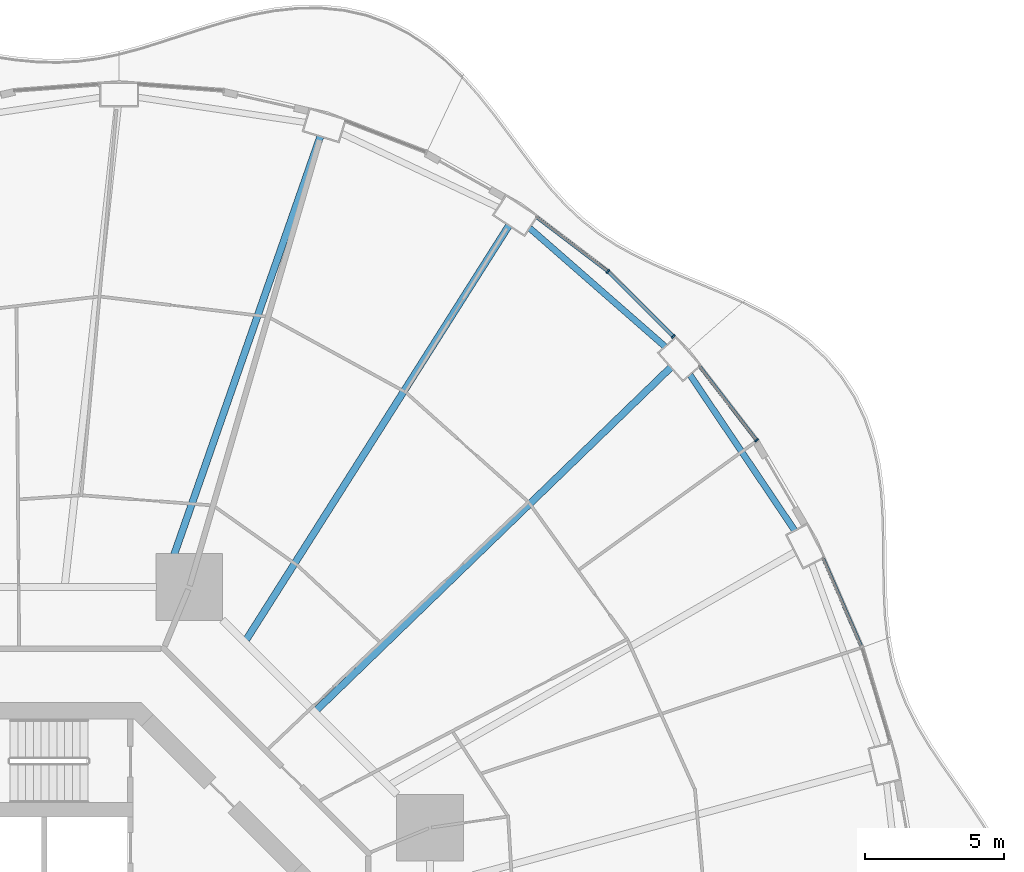
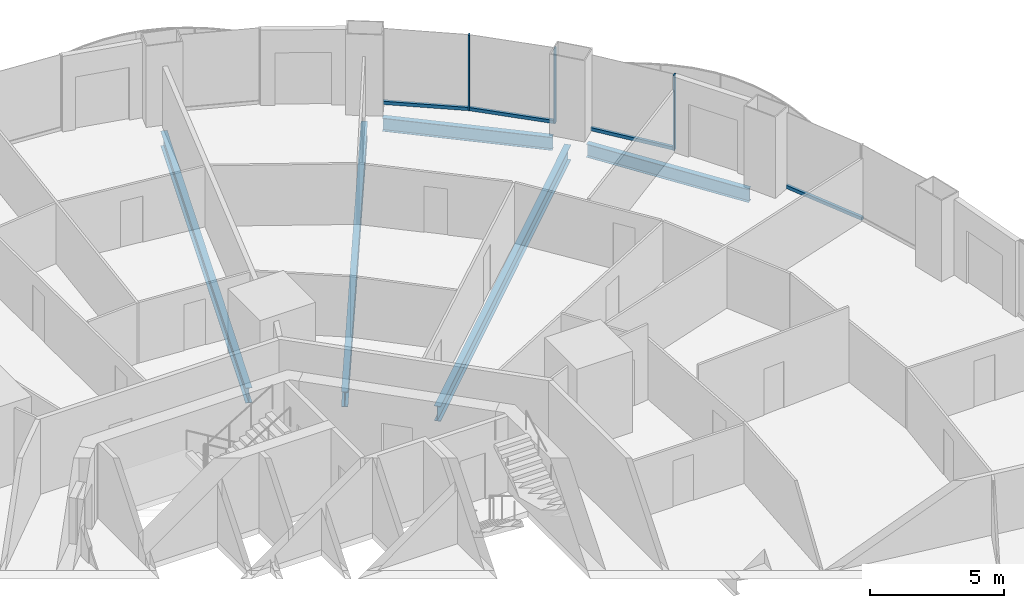
# One storey, part 10 of 22: 7 members, 5 beams, 4 elements without a shape of their own.
"""IFC4 building model written with IfcOpenShell, lengths in metres."""

from ifc_helpers import new_model, si_unit, direction, frame, origin, origin_2d, place, context, subcontext, project, spatial, rectangle, i_section, extrude, material, layer, layer_set, material_profile, profile_set, type_object, element, aggregate, save


model = new_model("IFC4")

# Units and contexts
model_context = context("Model", 3, precision=1e-05, world=origin(), true_north=direction((0.0, 1.0)))
body_context = subcontext(model_context, "Body", "Model", "MODEL_VIEW")
ifc_project = project(units=[si_unit("LENGTHUNIT", "METRE"), si_unit("AREAUNIT", "SQUARE_METRE"), si_unit("VOLUMEUNIT", "CUBIC_METRE"), si_unit("PLANEANGLEUNIT", "RADIAN"), si_unit("MASSUNIT", "GRAM", prefix="KILO")], contexts=[model_context])

# Site, building, storey
site_placement = place(None, origin())
site = spatial("IfcSite", under=ifc_project, at=site_placement, CompositionType="ELEMENT")
building_placement = place(site_placement, origin())
building = spatial("IfcBuilding", under=site, at=building_placement, Name="Nagisa Residences", CompositionType="ELEMENT")
storey_placement = place(building_placement, frame((0.0, 0.0, 30.699951171875)))
storey = spatial("IfcBuildingStorey", under=building, at=storey_placement, Name="L06", CompositionType="ELEMENT", Elevation=30.699951171875)

# Curtain wall, member
ifc_material_1 = material(Name="Concrete-coloured aluminium curtain wall system", Category="concrete")
ifc_layer = layer(ifc_material_1, 0.159912109375)
ifc_layer_set = layer_set([ifc_layer], Name="CW1 CURTAIN WALL")
curtain_wall_type = type_object("IfcCurtainWallType", Name="CW1 CURTAIN WALL", PredefinedType="NOTDEFINED", material=ifc_layer_set)
curtain_wall_1_placement = place(storey_placement, origin())
curtain_wall_1 = element("IfcCurtainWall", 1, at=curtain_wall_1_placement, inside=storey, type_object=curtain_wall_type, Name="cw:CW1:L06:05", PredefinedType="NOTDEFINED")
ifc_material_2 = material(Name="Concrete-coloured aluminium", Category="concrete")
ifc_material_profile_1 = material_profile(ifc_material_2, rectangle(XDim=0.159912109375, YDim=0.06005859375, at=origin_2d()), Name="CW1 MULLION 160x60")
ifc_profile_set_1 = profile_set([ifc_material_profile_1], Name="Concrete-coloured aluminium")
member_type_1 = type_object("IfcMemberType", Name="CW1 MULLION 160x60", PredefinedType="MULLION", material=ifc_profile_set_1)
member_1_placement = place(storey_placement, frame((26.525634765625, 20.06396484375, 0.0), z_axis=(0.0, 0.0, 1.0), x_axis=(-0.792070340816, -0.610429828235, 0.0)))
member_1 = element("IfcMember", 2, at=member_1_placement, type_object=member_type_1, Name="CW1 mullion", PredefinedType="MULLION", context=body_context, shape_type="SweptSolid", body=[
    extrude(rectangle(XDim=0.159912109375, YDim=0.06005859375, at=origin_2d()), origin(), (0.0, 0.0, 1.0), 3.43994140625),
])

curtain_wall_2_placement = place(storey_placement, origin())
curtain_wall_2 = element("IfcCurtainWall", 3, at=curtain_wall_2_placement, inside=storey, type_object=curtain_wall_type, Name="cw:CW1:L06:06", PredefinedType="NOTDEFINED")
member_2_placement = place(storey_placement, frame((23.532958984375, 23.79345703125, 0.0), z_axis=(0.0, 0.0, 1.0), x_axis=(-0.706376885714, -0.707835924016, 0.0)))
member_2 = element("IfcMember", 4, at=member_2_placement, type_object=member_type_1, Name="CW1 mullion", PredefinedType="MULLION", context=body_context, shape_type="SweptSolid", body=[
    extrude(rectangle(XDim=0.159912109375, YDim=0.06005859375, at=origin_2d()), origin(), (0.0, 0.0, 1.0), 3.43994140625),
])

curtain_wall_3_placement = place(storey_placement, origin())
curtain_wall_3 = element("IfcCurtainWall", 5, at=curtain_wall_3_placement, inside=storey, type_object=curtain_wall_type, Name="cw:CW1:L06:07", PredefinedType="NOTDEFINED")
member_3_placement = place(storey_placement, frame((21.181884765625, 26.13525390625, 0.0), z_axis=(0.0, 0.0, 1.0), x_axis=(-0.605255421737, -0.79603132756, 0.0)))
member_3 = element("IfcMember", 6, at=member_3_placement, type_object=member_type_1, Name="CW1 mullion", PredefinedType="MULLION", context=body_context, shape_type="SweptSolid", body=[
    extrude(rectangle(XDim=0.159912109375, YDim=0.06005859375, at=origin_2d()), origin(), (0.0, 0.0, 1.0), 3.43994140625),
])

curtain_wall_4_placement = place(storey_placement, origin())
curtain_wall_4 = element("IfcCurtainWall", 7, at=curtain_wall_4_placement, inside=storey, type_object=curtain_wall_type, Name="cw:CW1:L06:03", PredefinedType="NOTDEFINED")
ifc_material_3 = material(Name="Concrete-coloured aluminium", Category="concrete")
ifc_material_profile_2 = material_profile(ifc_material_3, rectangle(XDim=0.1201171875, YDim=0.14990234375, at=origin_2d()), Name="CW1 TRANSOM 120x150")
ifc_profile_set_2 = profile_set([ifc_material_profile_2], Name="Concrete-coloured aluminium")
member_type_2 = type_object("IfcMemberType", Name="CW1 TRANSOM 120x150", PredefinedType="USERDEFINED", material=ifc_profile_set_2)
member_4_placement = place(storey_placement, frame((30.319091796875, 12.5966796875, 0.074951171875), z_axis=(-0.397624958345, 0.917548032803, 0.0), x_axis=(-0.917548032803, -0.397624958345, 0.0)))
member_4 = element("IfcMember", 8, at=member_4_placement, type_object=member_type_2, Name="CW1 transom", ObjectType="TRANSOM", PredefinedType="USERDEFINED", context=body_context, shape_type="SweptSolid", body=[
    extrude(rectangle(XDim=0.1201171875, YDim=0.14990234375, at=origin_2d()), origin(), (0.0, 0.0, 1.0), 3.51953125),
])
aggregate(curtain_wall_4, [member_4])

# Member
member_5_placement = place(storey_placement, frame((26.5439453125, 20.040283203125, 0.074951171875), z_axis=(-0.610457147657, 0.792049285635, 0.0), x_axis=(-0.792049285635, -0.610457147657, 0.0)))
member_5 = element("IfcMember", 9, at=member_5_placement, type_object=member_type_2, Name="CW1 transom", ObjectType="TRANSOM", PredefinedType="USERDEFINED", context=body_context, shape_type="SweptSolid", body=[
    extrude(rectangle(XDim=0.1201171875, YDim=0.14990234375, at=origin_2d()), origin(), (0.0, 0.0, 1.0), 3.3974609375),
])

aggregate(curtain_wall_1, [member_1, member_5])

member_6_placement = place(storey_placement, frame((23.55419921875, 23.7724609375, 0.074951171875), z_axis=(-0.707876350734, 0.706336373176, 0.0), x_axis=(-0.706336373176, -0.707876350734, 0.0)))
member_6 = element("IfcMember", 10, at=member_6_placement, type_object=member_type_2, Name="CW1 transom", ObjectType="TRANSOM", PredefinedType="USERDEFINED", context=body_context, shape_type="SweptSolid", body=[
    extrude(rectangle(XDim=0.1201171875, YDim=0.14990234375, at=origin_2d()), origin(), (0.0, 0.0, 1.0), 3.329345703125),
])

aggregate(curtain_wall_2, [member_2, member_6])

member_7_placement = place(storey_placement, frame((21.20556640625, 26.116943359375, 0.074951171875), z_axis=(-0.79599487499, 0.605303361125, 0.0), x_axis=(-0.605303361125, -0.79599487499, 0.0)))
member_7 = element("IfcMember", 11, at=member_7_placement, type_object=member_type_2, Name="CW1 transom", ObjectType="TRANSOM", PredefinedType="USERDEFINED", context=body_context, shape_type="SweptSolid", body=[
    extrude(rectangle(XDim=0.1201171875, YDim=0.14990234375, at=origin_2d()), origin(), (0.0, 0.0, 1.0), 3.26220703125),
])

aggregate(curtain_wall_3, [member_3, member_7])

# Beams
ifc_material_4 = material(Name="Steel ASTM A572 Gr 50", Category="steel")
ifc_material_profile_3 = material_profile(ifc_material_4, i_section(OverallWidth=0.22802734375, OverallDepth=0.60302734375, WebThickness=0.010498046875, FlangeThickness=0.014892578125, at=origin_2d()), Name="W610x101")
ifc_profile_set_3 = profile_set([ifc_material_profile_3], Name="Steel ASTM A572 Gr 50")
beam_type_1 = type_object("IfcBeamType", Name="Perimeter ring beam W610x101", PredefinedType="BEAM", material=ifc_profile_set_3)
beam_1_placement = place(storey_placement, frame((27.899169921875, 16.818603515625, -0.5615234375), z_axis=(-0.558271879663, 0.829658067144, 0.0), x_axis=(-0.829658067144, -0.558271879663, 0.0)))
element("IfcBeam", 12, at=beam_1_placement, inside=storey, type_object=beam_type_1, Name="beam:L06:pb03", PredefinedType="BEAM", context=body_context, shape_type="SweptSolid", body=[
    extrude(i_section(OverallWidth=0.22802734375, OverallDepth=0.60302734375, WebThickness=0.010498046875, FlangeThickness=0.014892578125, at=origin_2d()), origin(), (0.0, 0.0, 1.0), 6.74169921875),
])
beam_2_placement = place(storey_placement, frame((23.236328125, 23.432861328125, -0.5615234375), z_axis=(-0.7525907186, 0.658488580217, 0.0), x_axis=(-0.658488580217, -0.7525907186, 0.0)))
element("IfcBeam", 13, at=beam_2_placement, inside=storey, type_object=beam_type_1, Name="beam:L06:pb04", PredefinedType="BEAM", context=body_context, shape_type="SweptSolid", body=[
    extrude(i_section(OverallWidth=0.22802734375, OverallDepth=0.60302734375, WebThickness=0.010498046875, FlangeThickness=0.014892578125, at=origin_2d()), origin(), (0.0, 0.0, 1.0), 6.470458984375),
])
ifc_material_5 = material(Name="Steel ASTM A572 Gr 50", Category="steel")
ifc_material_profile_4 = material_profile(ifc_material_5, i_section(OverallWidth=0.25390625, OverallDepth=0.68408203125, WebThickness=0.012451171875, FlangeThickness=0.018798828125, at=origin_2d()), Name="W690x140")
ifc_profile_set_4 = profile_set([ifc_material_profile_4], Name="Steel ASTM A572 Gr 50")
beam_type_2 = type_object("IfcBeamType", Name="Radial beam W690x140", PredefinedType="BEAM", material=ifc_profile_set_4)
beam_3_placement = place(storey_placement, frame((23.443115234375, 22.681640625, -0.60205078125), z_axis=(-0.718678305776, -0.695342716081, 0.0), x_axis=(0.695342716081, -0.718678305776, 0.0)))
element("IfcBeam", 14, at=beam_3_placement, inside=storey, type_object=beam_type_2, Name="beam:L06:rb04", PredefinedType="BEAM", context=body_context, shape_type="SweptSolid", body=[
    extrude(i_section(OverallWidth=0.25390625, OverallDepth=0.68408203125, WebThickness=0.012451171875, FlangeThickness=0.018798828125, at=origin_2d()), origin(), (0.0, 0.0, 1.0), 17.722900390625),
])
beam_4_placement = place(storey_placement, frame((17.61962890625, 27.78271484375, -0.60205078125), z_axis=(-0.53556610664, -0.844493306911, 0.0), x_axis=(0.844493306911, -0.53556610664, 0.0)))
element("IfcBeam", 15, at=beam_4_placement, inside=storey, type_object=beam_type_2, Name="beam:L06:rb05", PredefinedType="BEAM", context=body_context, shape_type="SweptSolid", body=[
    extrude(i_section(OverallWidth=0.25390625, OverallDepth=0.68408203125, WebThickness=0.012451171875, FlangeThickness=0.018798828125, at=origin_2d()), origin(), (0.0, 0.0, 1.0), 17.63525390625),
])
beam_5_placement = place(storey_placement, frame((10.834228515625, 30.986328125, -0.60205078125), z_axis=(-0.330051195485, -0.943963033364, 0.0), x_axis=(0.943963033364, -0.330051195485, 0.0)))
element("IfcBeam", 16, at=beam_5_placement, inside=storey, type_object=beam_type_2, Name="beam:L06:rb06", PredefinedType="BEAM", context=body_context, shape_type="SweptSolid", body=[
    extrude(i_section(OverallWidth=0.25390625, OverallDepth=0.68408203125, WebThickness=0.012451171875, FlangeThickness=0.018798828125, at=origin_2d()), origin(), (0.0, 0.0, 1.0), 17.045654296875),
])

save(model, "model.ifc")
